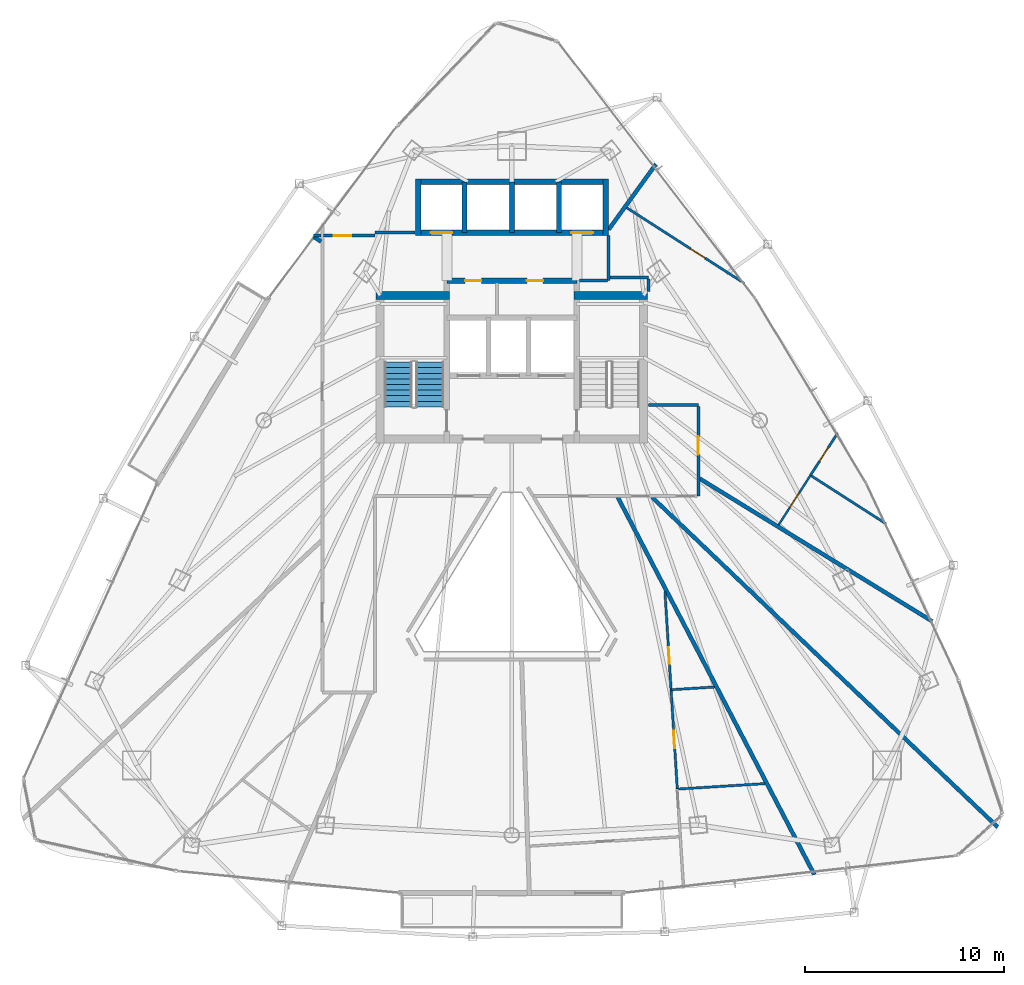
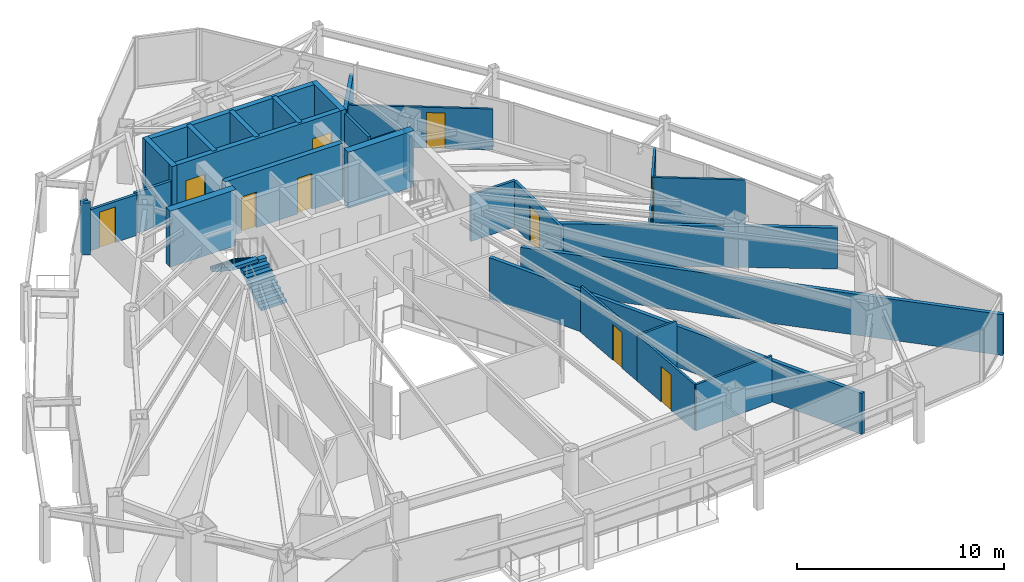
# One storey, part 25 of 29: 32 walls, 11 doors, 2 stair flights, 11 openings, 1 element without a shape of its own.
"""IFC4 building model written with IfcOpenShell, lengths in metres."""

from ifc_helpers import new_model, si_unit, direction, frame, frame_2d, origin, place, context, subcontext, project, spatial, polyline, rectangle, outline, extrude, material, layer, layer_set, type_object, element, fill, aggregate, save


model = new_model("IFC4")

# Units and contexts
model_context = context("Model", 3, precision=1e-05, world=origin(), true_north=direction((0.0, 1.0)))
body_context = subcontext(model_context, "Body", "Model", "MODEL_VIEW")
ifc_project = project(units=[si_unit("LENGTHUNIT", "METRE"), si_unit("AREAUNIT", "SQUARE_METRE"), si_unit("VOLUMEUNIT", "CUBIC_METRE"), si_unit("PLANEANGLEUNIT", "RADIAN"), si_unit("MASSUNIT", "GRAM", prefix="KILO")], contexts=[model_context])

# Site, building, storey
site_placement = place(None, origin())
site = spatial("IfcSite", under=ifc_project, at=site_placement, CompositionType="ELEMENT")
building_placement = place(site_placement, origin())
building = spatial("IfcBuilding", under=site, at=building_placement, Name="Orvanel Arch Residences", CompositionType="ELEMENT")
storey_placement = place(building_placement, frame((0.0, 0.0, 173.75)))
storey = spatial("IfcBuildingStorey", under=building, at=storey_placement, Name="L49", CompositionType="ELEMENT", Elevation=173.75)

# Walls
ifc_material_1 = material(Name="Concrete N50 (50 MPa)", Category="concrete")
ifc_layer_1 = layer(ifc_material_1, 0.25)
ifc_layer_set_1 = layer_set([ifc_layer_1], Name="Concrete N50 (50 MPa)")
wall_type_1 = type_object("IfcWallType", Name="SW-CORE-250", PredefinedType="SHEAR", material=ifc_layer_set_1)
for number, where, z_axis, x_axis, name in (
    (1, (30.625, 37.050048828125, 0.0), (0.0, 0.0, 1.0), (0.0, 1.0, 0.0), "L49 Passenger Lift Inter-Shaft Wall P35"),
    (2, (33.0, 37.050048828125, 0.0), (0.0, 0.0, 1.0), (0.0, 1.0, 0.0), "L49 Passenger Lift Inter-Shaft Wall P56"),
    (3, (35.375, 37.050048828125, 0.0), (0.0, 0.0, 1.0), (0.0, 1.0, 0.0), "L49 Passenger Lift Inter-Shaft Wall P64"),
):
    element("IfcWall", number, at=place(storey_placement, frame(where, z_axis=z_axis, x_axis=x_axis)), inside=storey, type_object=wall_type_1, Name=name, PredefinedType="SHEAR", context=body_context, shape_type="SweptSolid", body=[
        extrude(rectangle(XDim=2.550048828125, YDim=0.25, at=frame_2d((1.27490234375, 0.0))), origin(), (0.0, 0.0, 1.0), 3.300048828125),
    ])

# Wall, openings, doors
ifc_material_2 = material(Name="Concrete S65 (65 MPa)", Category="concrete")
ifc_layer_2 = layer(ifc_material_2, 0.280029296875)
ifc_layer_set_2 = layer_set([ifc_layer_2], Name="Concrete S65 (65 MPa)")
wall_type_2 = type_object("IfcWallType", Name="SW-CORE-280", PredefinedType="SHEAR", material=ifc_layer_set_2)
wall_1_placement = place(storey_placement, frame((29.739990234375, 34.64990234375, 0.0), z_axis=(0.0, 0.0, 1.0), x_axis=(1.0, 0.0, 0.0)))
wall_1 = element("IfcWall", 4, at=wall_1_placement, inside=storey, type_object=wall_type_2, Name="L49 Core Service Band North Shear Wall", PredefinedType="SHEAR", context=body_context, shape_type="SweptSolid", body=[
    extrude(rectangle(XDim=6.52001953125, YDim=0.280029296875, at=frame_2d((3.260009765625, 0.0))), origin(), (0.0, 0.0, 1.0), 3.300048828125),
])
opening_1_placement = place(wall_1_placement, frame((0.9150390625, 0.0, 0.0)))
opening_1 = element("IfcOpeningElement", 5, at=opening_1_placement, cuts=wall_1, Name="Opening DS-082", PredefinedType="OPENING", context=body_context, shape_type="SweptSolid", body=[
    extrude(rectangle(XDim=0.820068359375, YDim=2.10009765625, at=frame_2d((0.41015625, 1.050048828125))), frame((0.0, 0.14990234375, 0.0), z_axis=(0.0, -1.0, 0.0), x_axis=(1.0, 0.0, 0.0)), (0.0, 0.0, 1.0), 0.300048828125),
])
opening_2_placement = place(wall_1_placement, frame((4.014892578125, 0.0, 0.0)))
opening_2 = element("IfcOpeningElement", 6, at=opening_2_placement, cuts=wall_1, Name="Opening DW-082", PredefinedType="OPENING", context=body_context, shape_type="SweptSolid", body=[
    extrude(rectangle(XDim=0.820068359375, YDim=2.10009765625, at=frame_2d((0.41015625, 1.050048828125))), frame((0.0, 0.14990234375, 0.0), z_axis=(0.0, -1.0, 0.0), x_axis=(1.0, 0.0, 0.0)), (0.0, 0.0, 1.0), 0.300048828125),
])
ifc_material_3 = material(Name="Galvanised steel fire-resisting door assembly", Category="steel")
door_type_1 = type_object("IfcDoorType", Name="DR-SVC-820", OperationType="NOTDEFINED", PredefinedType="DOOR", material=ifc_material_3)
door_1_placement = place(opening_1_placement, origin())
door_1 = element("IfcDoor", 7, at=door_1_placement, inside=storey, type_object=door_type_1, Name="DR-L49-CSVC-1 L49 Floor Cleaner's Store Door", OperationType="SINGLE_SWING_LEFT", OverallHeight=2.10009765625, OverallWidth=0.820068359375, PredefinedType="DOOR", context=body_context, shape_type="SweptSolid", body=[
    extrude(rectangle(XDim=0.820068359375, YDim=2.10009765625, at=frame_2d((0.41015625, 1.050048828125))), frame((0.0, 0.02490234375, 0.0), z_axis=(0.0, -1.0, 0.0), x_axis=(1.0, 0.0, 0.0)), (0.0, 0.0, 1.0), 0.050048828125),
])
fill(opening_1, door_1)
ifc_material_4 = material(Name="Solid-core European oak veneer fire door leaf", Category="wood")
door_type_2 = type_object("IfcDoorType", Name="DR-WET-820", OperationType="NOTDEFINED", PredefinedType="DOOR", material=ifc_material_4)
door_2_placement = place(opening_2_placement, origin())
door_2 = element("IfcDoor", 8, at=door_2_placement, inside=storey, type_object=door_type_2, Name="DR-L49-CSVC-2 L49 Core Accessible WC Door", OperationType="SINGLE_SWING_LEFT", OverallHeight=2.10009765625, OverallWidth=0.820068359375, PredefinedType="DOOR", context=body_context, shape_type="SweptSolid", body=[
    extrude(rectangle(XDim=0.820068359375, YDim=2.10009765625, at=frame_2d((0.41015625, 1.050048828125))), frame((0.0, 0.02490234375, 0.0), z_axis=(0.0, -1.0, 0.0), x_axis=(1.0, 0.0, 0.0)), (0.0, 0.0, 1.0), 0.050048828125),
])
fill(opening_2, door_2)

wall_2_placement = place(storey_placement, frame((37.840087890625, 37.050048828125, 0.0), z_axis=(0.0, 0.0, 1.0), x_axis=(-1.0, 0.0, 0.0)))
wall_2 = element("IfcWall", 9, at=wall_2_placement, inside=storey, type_object=wall_type_2, Name="L49 Passenger Lift Bank Front Shear Wall", PredefinedType="SHEAR", context=body_context, shape_type="SweptSolid", body=[
    extrude(rectangle(XDim=9.68017578125, YDim=0.280029296875, at=frame_2d((4.840087890625, 0.0))), origin(), (0.0, 0.0, 1.0), 3.300048828125),
])
opening_3_placement = place(wall_2_placement, frame((7.81494140625, 0.0, 0.0)))
opening_3 = element("IfcOpeningElement", 10, at=opening_3_placement, cuts=wall_2, Name="Opening LD-110", PredefinedType="OPENING", context=body_context, shape_type="SweptSolid", body=[
    extrude(rectangle(XDim=1.10009765625, YDim=2.199951171875, at=frame_2d((0.550048828125, 1.10009765625))), frame((0.0, 0.14990234375, 0.0), z_axis=(0.0, -1.0, 0.0), x_axis=(1.0, 0.0, 0.0)), (0.0, 0.0, 1.0), 0.300048828125),
])
opening_4_placement = place(wall_2_placement, frame((0.764892578125, 0.0, 0.0)))
opening_4 = element("IfcOpeningElement", 11, at=opening_4_placement, cuts=wall_2, Name="Opening LD-110", PredefinedType="OPENING", context=body_context, shape_type="SweptSolid", body=[
    extrude(rectangle(XDim=1.10009765625, YDim=2.199951171875, at=frame_2d((0.550048828125, 1.10009765625))), frame((0.0, 0.14990234375, 0.0), z_axis=(0.0, -1.0, 0.0), x_axis=(1.0, 0.0, 0.0)), (0.0, 0.0, 1.0), 0.300048828125),
])
door_type_3 = type_object("IfcDoorType", Name="DR-LFT-1100", OperationType="NOTDEFINED", PredefinedType="DOOR", material=ifc_material_3)
door_3_placement = place(opening_3_placement, origin())
door_3 = element("IfcDoor", 12, at=door_3_placement, inside=storey, type_object=door_type_3, Name="LD-P3-L49 L49 Passenger Lift P3 Sliding Landing Door", OperationType="DOUBLE_DOOR_SLIDING", OverallHeight=2.199951171875, OverallWidth=1.10009765625, PredefinedType="DOOR", context=body_context, shape_type="SweptSolid", body=[
    extrude(rectangle(XDim=1.10009765625, YDim=2.199951171875, at=frame_2d((0.550048828125, 1.10009765625))), frame((0.0, 0.02490234375, 0.0), z_axis=(0.0, -1.0, 0.0), x_axis=(1.0, 0.0, 0.0)), (0.0, 0.0, 1.0), 0.050048828125),
])
fill(opening_3, door_3)
door_4_placement = place(opening_4_placement, origin())
door_4 = element("IfcDoor", 13, at=door_4_placement, inside=storey, type_object=door_type_3, Name="LD-P4-L49 L49 Passenger Lift P4 Sliding Landing Door", OperationType="DOUBLE_DOOR_SLIDING", OverallHeight=2.199951171875, OverallWidth=1.10009765625, PredefinedType="DOOR", context=body_context, shape_type="SweptSolid", body=[
    extrude(rectangle(XDim=1.10009765625, YDim=2.199951171875, at=frame_2d((0.550048828125, 1.10009765625))), frame((0.0, 0.02490234375, 0.0), z_axis=(0.0, -1.0, 0.0), x_axis=(1.0, 0.0, 0.0)), (0.0, 0.0, 1.0), 0.050048828125),
])
fill(opening_4, door_4)

# Walls
wall_3_placement = place(storey_placement, frame((28.159912109375, 39.60009765625, 0.0), z_axis=(0.0, 0.0, 1.0), x_axis=(1.0, 0.0, 0.0)))
element("IfcWall", 14, at=wall_3_placement, inside=storey, type_object=wall_type_2, Name="L49 Passenger Lift Bank North Shear Wall", PredefinedType="SHEAR", context=body_context, shape_type="SweptSolid", body=[
    extrude(rectangle(XDim=9.68017578125, YDim=0.280029296875, at=frame_2d((4.840087890625, 0.0))), origin(), (0.0, 0.0, 1.0), 3.300048828125),
])
for number, where, z_axis, x_axis, name in (
    (15, (28.300048828125, 36.909912109375, 0.0), (0.0, 0.0, 1.0), (0.0, 1.0, 0.0), "L49 Passenger Lift Bank West Shear Wall"),
    (16, (37.699951171875, 36.909912109375, 0.0), (0.0, 0.0, 1.0), (0.0, 1.0, 0.0), "L49 Passenger Lift Bank East Shear Wall"),
):
    element("IfcWall", number, at=place(storey_placement, frame(where, z_axis=z_axis, x_axis=x_axis)), inside=storey, type_object=wall_type_2, Name=name, PredefinedType="SHEAR", context=body_context, shape_type="SweptSolid", body=[
        extrude(rectangle(XDim=2.830078125, YDim=0.280029296875, at=frame_2d((1.4150390625, 0.0))), origin(), (0.0, 0.0, 1.0), 3.300048828125),
    ])
ifc_layer_3 = layer(ifc_material_2, 0.39990234375)
ifc_layer_set_3 = layer_set([ifc_layer_3], Name="Concrete S65 (65 MPa)")
wall_type_3 = type_object("IfcWallType", Name="SW-CORE-400", PredefinedType="SHEAR", material=ifc_layer_set_3)
for number, where, z_axis, x_axis, name in (
    (17, (26.199951171875, 33.89990234375, 0.0), (0.0, 0.0, 1.0), (1.0, 0.0, 0.0), "L49 West Stair North Shear Wall"),
    (18, (36.1201171875, 33.89990234375, 0.0), (0.0, 0.0, 1.0), (1.0, 0.0, 0.0), "L49 East Stair North Shear Wall"),
):
    element("IfcWall", number, at=place(storey_placement, frame(where, z_axis=z_axis, x_axis=x_axis)), inside=storey, type_object=wall_type_3, Name=name, PredefinedType="SHEAR", context=body_context, shape_type="SweptSolid", body=[
        extrude(rectangle(XDim=3.679931640625, YDim=0.39990234375, at=frame_2d((1.83984375, 0.0))), origin(), (0.0, 0.0, 1.0), 3.300048828125),
    ])
ifc_material_5 = material(Name="Fire-rated plasterboard lined steel stud partition", Category="steel")
ifc_layer_4 = layer(ifc_material_5, 0.14990234375)
ifc_layer_set_4 = layer_set([ifc_layer_4], Name="Fire-rated plasterboard lined steel stud partition")
wall_type_4 = type_object("IfcWallType", Name="W-COR-150", PredefinedType="PARTITIONING", material=ifc_layer_set_4)
wall_4_placement = place(storey_placement, frame((37.85009765625, 34.64990234375, 0.0), z_axis=(0.0, 0.0, 1.0), x_axis=(0.0, 1.0, 0.0)))
element("IfcWall", 19, at=wall_4_placement, inside=storey, type_object=wall_type_4, Name="L49 Passenger Lift Lobby East Closure Wall", PredefinedType="PARTITIONING", context=body_context, shape_type="SweptSolid", body=[
    extrude(rectangle(XDim=2.260009765625, YDim=0.14990234375, at=frame_2d((1.1298828125, 0.0))), origin(), (0.0, 0.0, 1.0), 3.06005859375),
])
wall_5_placement = place(storey_placement, frame((36.385009765625, 34.64990234375, 0.0), z_axis=(0.0, 0.0, 1.0), x_axis=(1.0, 0.0, 0.0)))
element("IfcWall", 20, at=wall_5_placement, inside=storey, type_object=wall_type_4, Name="L49 Passenger Lift Lobby South-East Wall", PredefinedType="PARTITIONING", context=body_context, shape_type="SweptSolid", body=[
    extrude(rectangle(XDim=1.405029296875, YDim=0.14990234375, at=frame_2d((0.70263671875, 0.0))), origin(), (0.0, 0.0, 1.0), 2.425048828125),
])
wall_6_placement = place(storey_placement, frame((23.06298828125, 36.89990234375, 0.0), z_axis=(0.0, 0.0, 1.0), x_axis=(1.0, 0.0, 0.0)))
element("IfcWall", 21, at=wall_6_placement, inside=storey, type_object=wall_type_4, Name="L49 Corridor Fire-Rated Partition", PredefinedType="PARTITIONING", context=body_context, shape_type="SweptSolid", body=[
    extrude(rectangle(XDim=0.376953125, YDim=0.14990234375, at=frame_2d((0.1884765625, 0.0))), origin(), (0.0, 0.0, 1.0), 3.06005859375),
])

# Wall, opening, door
wall_7_placement = place(storey_placement, frame((23.56005859375, 36.89990234375, 0.0), z_axis=(0.0, 0.0, 1.0), x_axis=(1.0, 0.0, 0.0)))
wall_7 = element("IfcWall", 22, at=wall_7_placement, inside=storey, type_object=wall_type_4, Name="L49 Corridor Fire-Rated Partition", PredefinedType="PARTITIONING", context=body_context, shape_type="SweptSolid", body=[
    extrude(rectangle(XDim=2.58984375, YDim=0.14990234375, at=frame_2d((1.294921875, 0.0))), origin(), (0.0, 0.0, 1.0), 2.4130859375),
])
opening_5_placement = place(wall_7_placement, frame((0.514892578125, 0.0, 0.0)))
opening_5 = element("IfcOpeningElement", 23, at=opening_5_placement, cuts=wall_7, Name="Opening DI-088", PredefinedType="OPENING", context=body_context, shape_type="SweptSolid", body=[
    extrude(rectangle(XDim=0.8798828125, YDim=2.10009765625, at=frame_2d((0.43994140625, 1.050048828125))), frame((0.0, 0.0849609375, 0.0), z_axis=(0.0, -1.0, 0.0), x_axis=(1.0, 0.0, 0.0)), (0.0, 0.0, 1.0), 0.169921875),
])
door_type_4 = type_object("IfcDoorType", Name="DR-INT-880", OperationType="NOTDEFINED", PredefinedType="DOOR", material=ifc_material_4)
door_5_placement = place(opening_5_placement, origin())
door_5 = element("IfcDoor", 24, at=door_5_placement, inside=storey, type_object=door_type_4, Name="DR-L49-SHRD-FB7 L49 Co-Working Study Office G Door", OperationType="SINGLE_SWING_LEFT", OverallHeight=2.10009765625, OverallWidth=0.8798828125, PredefinedType="DOOR", context=body_context, shape_type="SweptSolid", body=[
    extrude(rectangle(XDim=0.8798828125, YDim=2.10009765625, at=frame_2d((0.43994140625, 1.050048828125))), frame((0.0, 0.02490234375, 0.0), z_axis=(0.0, -1.0, 0.0), x_axis=(1.0, 0.0, 0.0)), (0.0, 0.0, 1.0), 0.050048828125),
])
fill(opening_5, door_5)

# Wall
wall_8_placement = place(storey_placement, frame((39.85009765625, 28.39990234375, 0.0), z_axis=(0.0, 0.0, 1.0), x_axis=(1.0, 0.0, 0.0)))
element("IfcWall", 25, at=wall_8_placement, inside=storey, type_object=wall_type_4, Name="L49 Corridor Fire-Rated Partition", PredefinedType="PARTITIONING", context=body_context, shape_type="SweptSolid", body=[
    extrude(rectangle(XDim=2.5, YDim=0.14990234375, at=frame_2d((1.25, 0.0))), origin(), (0.0, 0.0, 1.0), 2.720947265625),
])

# Wall, opening, door
wall_9_placement = place(storey_placement, frame((42.35009765625, 28.340087890625, 0.0), z_axis=(0.0, 0.0, 1.0), x_axis=(0.0, -1.0, 0.0)))
wall_9 = element("IfcWall", 26, at=wall_9_placement, inside=storey, type_object=wall_type_4, Name="L49 Corridor Fire-Rated Partition", PredefinedType="PARTITIONING", context=body_context, shape_type="SweptSolid", body=[
    extrude(rectangle(XDim=4.489990234375, YDim=0.14990234375, at=frame_2d((2.2451171875, 0.0))), origin(), (0.0, 0.0, 1.0), 2.720947265625),
])
opening_6_placement = place(wall_9_placement, frame((1.4970703125, 0.0, 0.0)))
opening_6 = element("IfcOpeningElement", 27, at=opening_6_placement, cuts=wall_9, Name="Opening DA-092", PredefinedType="OPENING", context=body_context, shape_type="SweptSolid", body=[
    extrude(rectangle(XDim=0.919921875, YDim=2.14990234375, at=frame_2d((0.4599609375, 1.074951171875))), frame((0.0, 0.0849609375, 0.0), z_axis=(0.0, -1.0, 0.0), x_axis=(1.0, 0.0, 0.0)), (0.0, 0.0, 1.0), 0.169921875),
])
door_type_5 = type_object("IfcDoorType", Name="DR-APT-920", OperationType="NOTDEFINED", PredefinedType="DOOR", material=ifc_material_4)
door_6_placement = place(opening_6_placement, origin())
door_6 = element("IfcDoor", 28, at=door_6_placement, inside=storey, type_object=door_type_5, Name="DR-L49-D-ENT L49 Flat D Entrance Door", OperationType="SINGLE_SWING_LEFT", OverallHeight=2.14990234375, OverallWidth=0.919921875, PredefinedType="DOOR", context=body_context, shape_type="SweptSolid", body=[
    extrude(rectangle(XDim=0.919921875, YDim=2.14990234375, at=frame_2d((0.4599609375, 1.074951171875))), frame((0.0, 0.02490234375, 0.0), z_axis=(0.0, -1.0, 0.0), x_axis=(1.0, 0.0, 0.0)), (0.0, 0.0, 1.0), 0.050048828125),
])
fill(opening_6, door_6)

# Walls
wall_10_placement = place(storey_placement, frame((26.14990234375, 37.050048828125, 0.0), z_axis=(0.0, 0.0, 1.0), x_axis=(1.0, 0.0, 0.0)))
element("IfcWall", 29, at=wall_10_placement, inside=storey, type_object=wall_type_4, Name="L49 Core Perimeter Partition", PredefinedType="PARTITIONING", context=body_context, shape_type="SweptSolid", body=[
    extrude(rectangle(XDim=2.0, YDim=0.14990234375, at=frame_2d((1.0, 0.0))), origin(), (0.0, 0.0, 1.0), 2.4130859375),
])
wall_11_placement = place(storey_placement, frame((37.909912109375, 34.800048828125, 0.0), z_axis=(0.0, 0.0, 1.0), x_axis=(1.0, 0.0, 0.0)))
element("IfcWall", 30, at=wall_11_placement, inside=storey, type_object=wall_type_4, Name="L49 Core Perimeter Partition", PredefinedType="PARTITIONING", context=body_context, shape_type="SweptSolid", body=[
    extrude(rectangle(XDim=1.940185546875, YDim=0.14990234375, at=frame_2d((0.97021484375, 0.0))), origin(), (0.0, 0.0, 1.0), 2.720947265625),
])
wall_12_placement = place(storey_placement, frame((39.85009765625, 34.739990234375, 0.0), z_axis=(0.0, 0.0, 1.0), x_axis=(0.0, -1.0, 0.0)))
element("IfcWall", 31, at=wall_12_placement, inside=storey, type_object=wall_type_4, Name="L49 Core Perimeter Partition", PredefinedType="PARTITIONING", context=body_context, shape_type="SweptSolid", body=[
    extrude(rectangle(XDim=0.639892578125, YDim=0.14990234375, at=frame_2d((0.31982421875, 0.0))), origin(), (0.0, 0.0, 1.0), 2.720947265625),
])
ifc_layer_5 = layer(ifc_material_5, 0.199951171875)
ifc_layer_set_5 = layer_set([ifc_layer_5], Name="Fire-rated plasterboard lined steel stud partition")
wall_type_5 = type_object("IfcWallType", Name="W-DEM-200", PredefinedType="PARTITIONING", material=ifc_layer_set_5)
wall_13_placement = place(storey_placement, frame((38.31103515625, 23.7900390625, 0.0), z_axis=(0.0, 0.0, 1.0), x_axis=(0.461923729454, -0.886919651472, 0.0)))
element("IfcWall", 32, at=wall_13_placement, inside=storey, type_object=wall_type_5, Name="L49 Inter-Tenancy Acoustic Demising Wall", PredefinedType="PARTITIONING", context=body_context, shape_type="SweptSolid", body=[
    extrude(rectangle(XDim=21.334716796875, YDim=0.199951171875, at=frame_2d((10.66748046875, 0.0))), origin(), (0.0, 0.0, 1.0), 2.4130859375),
])
wall_14_placement = place(storey_placement, frame((23.069091796875, 36.840087890625, 0.0), z_axis=(0.0, 0.0, 1.0), x_axis=(0.842563414195, -0.538597152852, 0.0)))
element("IfcWall", 33, at=wall_14_placement, inside=storey, type_object=wall_type_5, Name="L49 Inter-Tenancy Acoustic Demising Wall", PredefinedType="PARTITIONING", context=body_context, shape_type="SweptSolid", body=[
    extrude(rectangle(XDim=0.440185546875, YDim=0.199951171875, at=frame_2d((0.22021484375, 0.0))), origin(), (0.0, 0.0, 1.0), 3.06005859375),
])
wall_15_placement = place(storey_placement, frame((37.85009765625, 37.202880859375, 0.0), z_axis=(0.0, 0.0, 1.0), x_axis=(0.586236886407, 0.810139687348, 0.0)))
element("IfcWall", 34, at=wall_15_placement, inside=storey, type_object=wall_type_5, Name="L49 Inter-Tenancy Acoustic Demising Wall", PredefinedType="PARTITIONING", context=body_context, shape_type="SweptSolid", body=[
    extrude(rectangle(XDim=4.047607421875, YDim=0.199951171875, at=frame_2d((2.02392578125, 0.0))), origin(), (0.0, 0.0, 1.0), 2.4130859375),
])
wall_16_placement = place(storey_placement, frame((54.0791015625, 17.56689453125, 0.0), z_axis=(0.0, 0.0, 1.0), x_axis=(-0.852338446262, 0.5229906051, 0.0)))
element("IfcWall", 35, at=wall_16_placement, inside=storey, type_object=wall_type_5, Name="L49 Inter-Tenancy Acoustic Demising Wall", PredefinedType="PARTITIONING", context=body_context, shape_type="SweptSolid", body=[
    extrude(rectangle(XDim=13.690673828125, YDim=0.199951171875, at=frame_2d((6.84521484375, 0.0))), origin(), (0.0, 0.0, 1.0), 2.4130859375),
])
wall_17_placement = place(storey_placement, frame((40.030029296875, 23.7900390625, 0.0), z_axis=(0.0, 0.0, 1.0), x_axis=(0.723360866179, -0.690470171174, 0.0)))
element("IfcWall", 36, at=wall_17_placement, inside=storey, type_object=wall_type_5, Name="L49 Inter-Tenancy Acoustic Demising Wall", PredefinedType="PARTITIONING", context=body_context, shape_type="SweptSolid", body=[
    extrude(rectangle(XDim=23.953369140625, YDim=0.199951171875, at=frame_2d((11.9765625, 0.0))), origin(), (0.0, 0.0, 1.0), 2.4130859375),
])

# Wall, opening, door
ifc_material_6 = material(Name="Acoustic plasterboard lined twin-stud partition", Category="gypsum")
ifc_layer_6 = layer(ifc_material_6, 0.10009765625)
ifc_layer_set_6 = layer_set([ifc_layer_6], Name="Acoustic plasterboard lined twin-stud partition")
wall_type_6 = type_object("IfcWallType", Name="W-INT-100", PredefinedType="PARTITIONING", material=ifc_layer_set_6)
wall_18_placement = place(storey_placement, frame((47.972900390625, 24.887939453125, 0.0), z_axis=(0.0, 0.0, 1.0), x_axis=(-0.54033686579, -0.841448793135, 0.0)))
wall_18 = element("IfcWall", 37, at=wall_18_placement, inside=storey, type_object=wall_type_6, Name="L49 Flat D Internal Partition", PredefinedType="PARTITIONING", context=body_context, shape_type="SweptSolid", body=[
    extrude(rectangle(XDim=2.962646484375, YDim=0.10009765625, at=frame_2d((1.4814453125, 0.0))), origin(), (0.0, 0.0, 1.0), 2.4130859375),
])
opening_7_placement = place(wall_18_placement, frame((1.041015625, 0.0, 0.0)))
opening_7 = element("IfcOpeningElement", 38, at=opening_7_placement, cuts=wall_18, Name="Opening DI-088", PredefinedType="OPENING", context=body_context, shape_type="SweptSolid", body=[
    extrude(rectangle(XDim=0.8798828125, YDim=2.10009765625, at=frame_2d((0.43994140625, 1.050048828125))), frame((0.0, 0.06005859375, 0.0), z_axis=(0.0, -1.0, 0.0), x_axis=(1.0, 0.0, 0.0)), (0.0, 0.0, 1.0), 0.1201171875),
])
door_7_placement = place(opening_7_placement, origin())
door_7 = element("IfcDoor", 39, at=door_7_placement, inside=storey, type_object=door_type_4, Name="DR-L49-D-BED1 L49 Flat D Bedroom 1 Door", OperationType="SINGLE_SWING_LEFT", OverallHeight=2.10009765625, OverallWidth=0.8798828125, PredefinedType="DOOR", context=body_context, shape_type="SweptSolid", body=[
    extrude(rectangle(XDim=0.8798828125, YDim=2.10009765625, at=frame_2d((0.43994140625, 1.050048828125))), frame((0.0, 0.02490234375, 0.0), z_axis=(0.0, -1.0, 0.0), x_axis=(1.0, 0.0, 0.0)), (0.0, 0.0, 1.0), 0.050048828125),
])
fill(opening_7, door_7)

ifc_layer_7 = layer(ifc_material_6, 0.1201171875)
ifc_layer_set_7 = layer_set([ifc_layer_7], Name="Acoustic plasterboard lined twin-stud partition")
wall_type_7 = type_object("IfcWallType", Name="W-WET-120", PredefinedType="PARTITIONING", material=ifc_layer_set_7)
wall_19_placement = place(storey_placement, frame((40.676025390625, 19.06591796875, 0.0), z_axis=(0.0, 0.0, 1.0), x_axis=(0.062350581346, -0.998054309647, 0.0)))
wall_19 = element("IfcWall", 40, at=wall_19_placement, inside=storey, type_object=wall_type_7, Name="L49 Studio A Bathroom Partition", PredefinedType="PARTITIONING", context=body_context, shape_type="SweptSolid", body=[
    extrude(rectangle(XDim=4.9375, YDim=0.1201171875, at=frame_2d((2.46875, 0.0))), origin(), (0.0, 0.0, 1.0), 2.720947265625),
])
opening_8_placement = place(wall_19_placement, frame((2.803955078125, 0.0, 0.0)))
opening_8 = element("IfcOpeningElement", 41, at=opening_8_placement, cuts=wall_19, Name="Opening DW-082", PredefinedType="OPENING", context=body_context, shape_type="SweptSolid", body=[
    extrude(rectangle(XDim=0.820068359375, YDim=2.10009765625, at=frame_2d((0.41015625, 1.050048828125))), frame((0.0, 0.070068359375, 0.0), z_axis=(0.0, -1.0, 0.0), x_axis=(1.0, 0.0, 0.0)), (0.0, 0.0, 1.0), 0.14013671875),
])
door_8_placement = place(opening_8_placement, origin())
door_8 = element("IfcDoor", 42, at=door_8_placement, inside=storey, type_object=door_type_2, Name="DR-L49-A-BATH L49 Studio A Bathroom Door", OperationType="SINGLE_SWING_RIGHT", OverallHeight=2.10009765625, OverallWidth=0.820068359375, PredefinedType="DOOR", context=body_context, shape_type="SweptSolid", body=[
    extrude(rectangle(XDim=0.820068359375, YDim=2.10009765625, at=frame_2d((0.41015625, 1.050048828125))), frame((0.0, 0.02490234375, 0.0), z_axis=(0.0, -1.0, 0.0), x_axis=(1.0, 0.0, 0.0)), (0.0, 0.0, 1.0), 0.050048828125),
])
fill(opening_8, door_8)

wall_20_placement = place(storey_placement, frame((40.98388671875, 14.137939453125, 0.0), z_axis=(0.0, 0.0, 1.0), x_axis=(0.062518380192, -0.998043812735, 0.0)))
wall_20 = element("IfcWall", 43, at=wall_20_placement, inside=storey, type_object=wall_type_7, Name="L49 Studio A Internal Partition", PredefinedType="PARTITIONING", context=body_context, shape_type="SweptSolid", body=[
    extrude(rectangle(XDim=4.99072265625, YDim=0.1201171875, at=frame_2d((2.495361328125, 0.0))), origin(), (0.0, 0.0, 1.0), 2.720947265625),
])
opening_9_placement = place(wall_20_placement, frame((2.054931640625, 0.0, 0.0)))
opening_9 = element("IfcOpeningElement", 44, at=opening_9_placement, cuts=wall_20, Name="Opening DI-088", PredefinedType="OPENING", context=body_context, shape_type="SweptSolid", body=[
    extrude(rectangle(XDim=0.8798828125, YDim=2.10009765625, at=frame_2d((0.43994140625, 1.050048828125))), frame((0.0, 0.070068359375, 0.0), z_axis=(0.0, -1.0, 0.0), x_axis=(1.0, 0.0, 0.0)), (0.0, 0.0, 1.0), 0.14013671875),
])
door_9_placement = place(opening_9_placement, origin())
door_9 = element("IfcDoor", 45, at=door_9_placement, inside=storey, type_object=door_type_4, Name="DR-L49-A-KIT L49 Studio A Kitchenette Door", OperationType="SINGLE_SWING_LEFT", OverallHeight=2.10009765625, OverallWidth=0.8798828125, PredefinedType="DOOR", context=body_context, shape_type="SweptSolid", body=[
    extrude(rectangle(XDim=0.8798828125, YDim=2.10009765625, at=frame_2d((0.43994140625, 1.050048828125))), frame((0.0, 0.02490234375, 0.0), z_axis=(0.0, -1.0, 0.0), x_axis=(1.0, 0.0, 0.0)), (0.0, 0.0, 1.0), 0.050048828125),
])
fill(opening_9, door_9)

# Walls
wall_21_placement = place(storey_placement, frame((43.1708984375, 14.27490234375, 0.0), z_axis=(0.0, 0.0, 1.0), x_axis=(-0.998044767373, -0.062503138479, 0.0)))
element("IfcWall", 46, at=wall_21_placement, inside=storey, type_object=wall_type_7, Name="L49 Studio A Bathroom Partition", PredefinedType="PARTITIONING", context=body_context, shape_type="SweptSolid", body=[
    extrude(rectangle(XDim=2.19140625, YDim=0.1201171875, at=frame_2d((1.095703125, 0.0))), origin(), (0.0, 0.0, 1.0), 2.720947265625),
])
wall_22_placement = place(storey_placement, frame((45.693115234375, 9.431884765625, 0.0), z_axis=(0.0, 0.0, 1.0), x_axis=(-0.998051500251, -0.062395535466, 0.0)))
element("IfcWall", 47, at=wall_22_placement, inside=storey, type_object=wall_type_7, Name="L49 Studio A Internal Partition", PredefinedType="PARTITIONING", context=body_context, shape_type="SweptSolid", body=[
    extrude(rectangle(XDim=4.40576171875, YDim=0.1201171875, at=frame_2d((2.202880859375, 0.0))), origin(), (0.0, 0.0, 1.0), 2.720947265625),
])

# Wall, opening, door
wall_23_placement = place(storey_placement, frame((49.3349609375, 27.008056640625, 0.0), z_axis=(0.0, 0.0, 1.0), x_axis=(-0.540512736599, -0.841335831624, 0.0)))
wall_23 = element("IfcWall", 48, at=wall_23_placement, inside=storey, type_object=wall_type_7, Name="L49 Flat D Bathroom Partition", PredefinedType="PARTITIONING", context=body_context, shape_type="SweptSolid", body=[
    extrude(rectangle(XDim=2.52001953125, YDim=0.1201171875, at=frame_2d((1.260009765625, 0.0))), origin(), (0.0, 0.0, 1.0), 3.06005859375),
])
opening_10_placement = place(wall_23_placement, frame((0.85009765625, 0.0, 0.0)))
opening_10 = element("IfcOpeningElement", 49, at=opening_10_placement, cuts=wall_23, Name="Opening DW-082", PredefinedType="OPENING", context=body_context, shape_type="SweptSolid", body=[
    extrude(rectangle(XDim=0.820068359375, YDim=2.10009765625, at=frame_2d((0.41015625, 1.050048828125))), frame((0.0, 0.070068359375, 0.0), z_axis=(0.0, -1.0, 0.0), x_axis=(1.0, 0.0, 0.0)), (0.0, 0.0, 1.0), 0.14013671875),
])
door_10_placement = place(opening_10_placement, origin())
door_10 = element("IfcDoor", 50, at=door_10_placement, inside=storey, type_object=door_type_2, Name="DR-L49-D-BATH L49 Flat D Bathroom Door", OperationType="SINGLE_SWING_RIGHT", OverallHeight=2.10009765625, OverallWidth=0.820068359375, PredefinedType="DOOR", context=body_context, shape_type="SweptSolid", body=[
    extrude(rectangle(XDim=0.820068359375, YDim=2.10009765625, at=frame_2d((0.41015625, 1.050048828125))), frame((0.0, 0.02490234375, 0.0), z_axis=(0.0, -1.0, 0.0), x_axis=(1.0, 0.0, 0.0)), (0.0, 0.0, 1.0), 0.050048828125),
])
fill(opening_10, door_10)

wall_24_placement = place(storey_placement, frame((38.751953125, 38.304931640625, 0.0), z_axis=(0.0, 0.0, 1.0), x_axis=(0.84140799898, -0.54040038791, 0.0)))
wall_24 = element("IfcWall", 51, at=wall_24_placement, inside=storey, type_object=wall_type_7, Name="L49 Flat D Internal Partition", PredefinedType="PARTITIONING", context=body_context, shape_type="SweptSolid", body=[
    extrude(rectangle(XDim=7.013427734375, YDim=0.1201171875, at=frame_2d((3.5068359375, 0.0))), origin(), (0.0, 0.0, 1.0), 2.4130859375),
])
opening_11_placement = place(wall_24_placement, frame((3.81591796875, 0.0, 0.0)))
opening_11 = element("IfcOpeningElement", 52, at=opening_11_placement, cuts=wall_24, Name="Opening DI-088", PredefinedType="OPENING", context=body_context, shape_type="SweptSolid", body=[
    extrude(rectangle(XDim=0.8798828125, YDim=2.10009765625, at=frame_2d((0.43994140625, 1.050048828125))), frame((0.0, 0.070068359375, 0.0), z_axis=(0.0, -1.0, 0.0), x_axis=(1.0, 0.0, 0.0)), (0.0, 0.0, 1.0), 0.14013671875),
])
door_11_placement = place(opening_11_placement, origin())
door_11 = element("IfcDoor", 53, at=door_11_placement, inside=storey, type_object=door_type_4, Name="DR-L49-D-KIT L49 Flat D Kitchen Door", OperationType="SINGLE_SWING_LEFT", OverallHeight=2.10009765625, OverallWidth=0.8798828125, PredefinedType="DOOR", context=body_context, shape_type="SweptSolid", body=[
    extrude(rectangle(XDim=0.8798828125, YDim=2.10009765625, at=frame_2d((0.43994140625, 1.050048828125))), frame((0.0, 0.02490234375, 0.0), z_axis=(0.0, -1.0, 0.0), x_axis=(1.0, 0.0, 0.0)), (0.0, 0.0, 1.0), 0.050048828125),
])
fill(opening_11, door_11)

# Wall
wall_25_placement = place(storey_placement, frame((51.764892578125, 22.452880859375, 0.0), z_axis=(0.0, 0.0, 1.0), x_axis=(-0.841445922542, 0.540341336044, 0.0)))
element("IfcWall", 54, at=wall_25_placement, inside=storey, type_object=wall_type_7, Name="L49 Flat D Bathroom Partition", PredefinedType="PARTITIONING", context=body_context, shape_type="SweptSolid", body=[
    extrude(rectangle(XDim=4.506591796875, YDim=0.1201171875, at=frame_2d((2.25341796875, 0.0))), origin(), (0.0, 0.0, 1.0), 3.06005859375),
])

# Stair, stair flights
ifc_material_7 = material(Name="Precast concrete N50 (50 MPa)", Category="concrete")
stair_type = type_object("IfcStairType", Name="STR-DOG-184", PredefinedType="USERDEFINED", material=ifc_material_7)
stair_placement = place(storey_placement, origin())
stair = element("IfcStair", 55, at=stair_placement, inside=storey, type_object=stair_type, Name="L49 Fire-Isolated Core Exit Stair 1", ObjectType="TWO_RETURN_STAIR", PredefinedType="USERDEFINED")
stair_flight_type = type_object("IfcStairFlightType", Name="SFL-C1-184", PredefinedType="STRAIGHT", material=ifc_material_7)
stair_flight_1_placement = place(storey_placement, frame((28.889892578125, 28.320068359375, 0.0), z_axis=(0.0, 0.0, 1.0), x_axis=(0.0, 1.0, 0.0)))
stair_flight_1 = element("IfcStairFlight", 56, at=stair_flight_1_placement, type_object=stair_flight_type, Name="ST-1 flight 1", NumberOfRisers=9, NumberOfTreads=8, PredefinedType="STRAIGHT", RiserHeight=0.183333333, TreadLength=0.28, context=body_context, shape_type="SweptSolid", body=[
    extrude(outline(polyline([(0.0, 0.0), (0.0, 0.183349609375), (0.280029296875, 0.183349609375), (0.280029296875, 0.36669921875), (0.56005859375, 0.36669921875), (0.56005859375, 0.550048828125), (0.840087890625, 0.550048828125), (0.840087890625, 0.7333984375), (1.1201171875, 0.7333984375), (1.1201171875, 0.916748046875), (1.39990234375, 0.916748046875), (1.39990234375, 1.10009765625), (1.679931640625, 1.10009765625), (1.679931640625, 1.283447265625), (1.9599609375, 1.283447265625), (1.9599609375, 1.466552734375), (2.239990234375, 1.466552734375), (2.239990234375, 1.64990234375), (2.239990234375, 1.28759765625), (0.273681640625, 0.0), (0.0, 0.0)])), frame((0.0, 0.7099609375, 0.0), z_axis=(0.0, -1.0, 0.0), x_axis=(1.0, 0.0, 0.0)), (0.0, 0.0, 1.0), 1.419921875),
])
stair_flight_2_placement = place(storey_placement, frame((27.31005859375, 30.56005859375, 1.64990234375), z_axis=(0.0, 0.0, 1.0), x_axis=(0.0, -1.0, 0.0)))
stair_flight_2 = element("IfcStairFlight", 57, at=stair_flight_2_placement, type_object=stair_flight_type, Name="ST-1 flight 2", NumberOfRisers=9, NumberOfTreads=8, PredefinedType="STRAIGHT", RiserHeight=0.183333333, TreadLength=0.28, context=body_context, shape_type="SweptSolid", body=[
    extrude(outline(polyline([(0.0, 0.0), (0.0, 0.183349609375), (0.280029296875, 0.183349609375), (0.280029296875, 0.36669921875), (0.56005859375, 0.36669921875), (0.56005859375, 0.550048828125), (0.840087890625, 0.550048828125), (0.840087890625, 0.7333984375), (1.1201171875, 0.7333984375), (1.1201171875, 0.916748046875), (1.39990234375, 0.916748046875), (1.39990234375, 1.10009765625), (1.679931640625, 1.10009765625), (1.679931640625, 1.283447265625), (1.9599609375, 1.283447265625), (1.9599609375, 1.466552734375), (2.239990234375, 1.466552734375), (2.239990234375, 1.64990234375), (2.239990234375, 1.28759765625), (0.273681640625, 0.0), (0.0, 0.0)])), frame((0.0, 0.7099609375, 0.0), z_axis=(0.0, -1.0, 0.0), x_axis=(1.0, 0.0, 0.0)), (0.0, 0.0, 1.0), 1.419921875),
])
aggregate(stair, [stair_flight_1, stair_flight_2])

save(model, "model.ifc")
